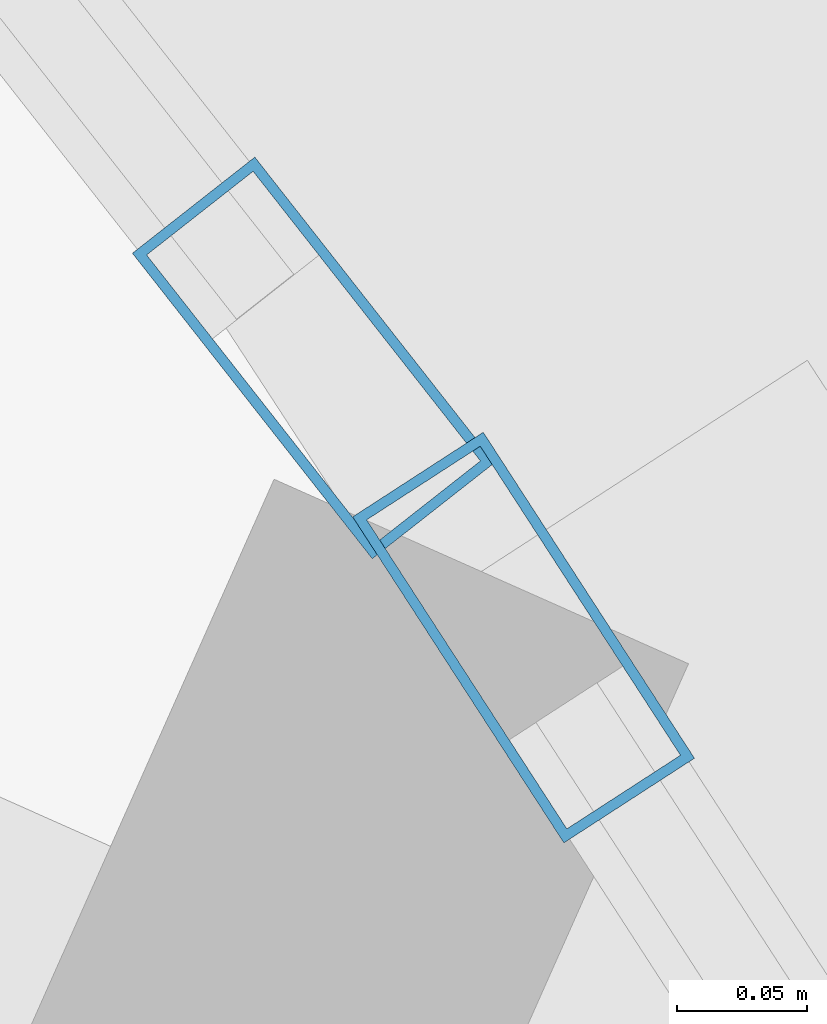
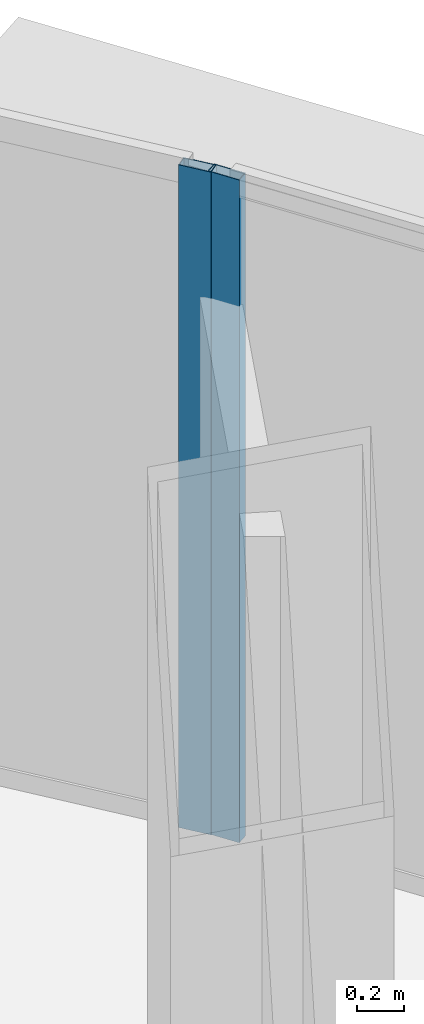
# One storey, part 20 of 42: 2 members, 2 elements without a shape of their own.
"""IFC4 building model written with IfcOpenShell, lengths in metres."""

from ifc_helpers import new_model, si_unit, direction, frame, origin, origin_2d, place, context, subcontext, project, spatial, hollow_rectangle, extrude, source, transform, mapped, material, layer, layer_set, material_profile, profile_set, type_object, element, aggregate, save


model = new_model("IFC4")

# Units and contexts
model_context = context("Model", 3, precision=1e-05, world=origin(), true_north=direction((0.0, 1.0)))
body_context = subcontext(model_context, "Body", "Model", "MODEL_VIEW")
ifc_project = project(units=[si_unit("LENGTHUNIT", "METRE"), si_unit("AREAUNIT", "SQUARE_METRE"), si_unit("VOLUMEUNIT", "CUBIC_METRE"), si_unit("PLANEANGLEUNIT", "RADIAN"), si_unit("MASSUNIT", "GRAM", prefix="KILO"), si_unit("THERMODYNAMICTEMPERATUREUNIT", "KELVIN"), si_unit("POWERUNIT", "WATT")], contexts=[model_context])

# Site, building, storey
site_placement = place(None, origin())
site = spatial("IfcSite", under=ifc_project, at=site_placement, CompositionType="ELEMENT")
building_placement = place(site_placement, origin())
building = spatial("IfcBuilding", under=site, at=building_placement, Name="Yunzhuo Pagoda Commons", CompositionType="ELEMENT")
storey_placement = place(building_placement, frame((0.0, 0.0, 137.18994140625)))
storey = spatial("IfcBuildingStorey", under=building, at=storey_placement, Name="L34", CompositionType="ELEMENT", Elevation=137.18994140625)

# Curtain wall, member
ifc_material = material(Name="Anodized aluminium 6063-T6", Category="aluminium")
ifc_layer = layer(ifc_material, 0.14990234375)
ifc_layer_set = layer_set([ifc_layer], Name="Anodized aluminium 6063-T6")
curtain_wall_type = type_object("IfcCurtainWallType", Name="CW-MID Mid-Zone Ribbon Curtain Wall", PredefinedType="NOTDEFINED", material=ifc_layer_set)
curtain_wall_1_placement = place(storey_placement, origin())
curtain_wall_1 = element("IfcCurtainWall", 1, at=curtain_wall_1_placement, inside=storey, type_object=curtain_wall_type, Name="L34 curtain wall CW-L34-F2B4", PredefinedType="NOTDEFINED")
ifc_material_profile = material_profile(ifc_material, hollow_rectangle(XDim=0.06005859375, YDim=0.14990234375, WallThickness=0.00390625, at=origin_2d()), Name="Anodized aluminium 6063-T6")
ifc_profile_set = profile_set([ifc_material_profile], Name="Anodized aluminium 6063-T6")
member_type = type_object("IfcMemberType", Name="CW-MID-M Mullion RHS 150x60x4", PredefinedType="MULLION", material=ifc_profile_set)
shared_shape = source(origin(), body_context, "Body", "SweptSolid", [
    extrude(hollow_rectangle(XDim=0.06005859375, YDim=0.14990234375, WallThickness=0.00390625, at=origin_2d()), origin(), (0.0, 0.0, 1.0), 3.420166015625),
])
member_1_placement = place(storey_placement, frame((64.2509765625, 70.138427734375, 0.0), z_axis=(0.0, 0.0, 1.0), x_axis=(-0.839249165596, -0.543747034977, 0.0)))
member_1 = element("IfcMember", 2, at=member_1_placement, type_object=member_type, Name="CW mullion 2", PredefinedType="MULLION", context=body_context, shape_type="MappedRepresentation", body=[
    mapped(shared_shape, transform((0.0, 0.0, 0.0), scale=1.0)),
])
aggregate(curtain_wall_1, [member_1])

curtain_wall_2_placement = place(storey_placement, origin())
curtain_wall_2 = element("IfcCurtainWall", 3, at=curtain_wall_2_placement, inside=storey, type_object=curtain_wall_type, Name="L34 curtain wall CW-L34-F2B5", PredefinedType="NOTDEFINED")
member_2_placement = place(storey_placement, frame((64.169921875, 70.246337890625, 0.0), z_axis=(0.0, 0.0, 1.0), x_axis=(-0.786571576347, -0.617499113588, 0.0)))
member_2 = element("IfcMember", 4, at=member_2_placement, type_object=member_type, Name="CW mullion 1", PredefinedType="MULLION", context=body_context, shape_type="MappedRepresentation", body=[
    mapped(shared_shape, transform((0.0, 0.0, 0.0), scale=1.0)),
])
aggregate(curtain_wall_2, [member_2])

save(model, "model.ifc")
